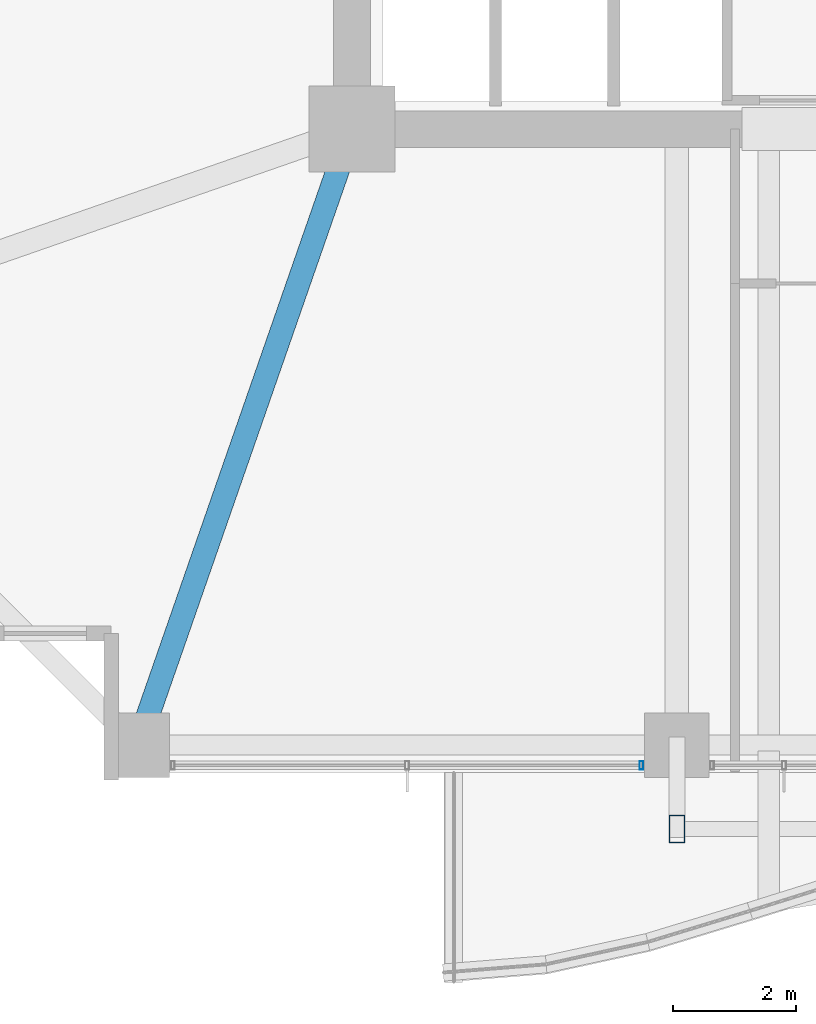
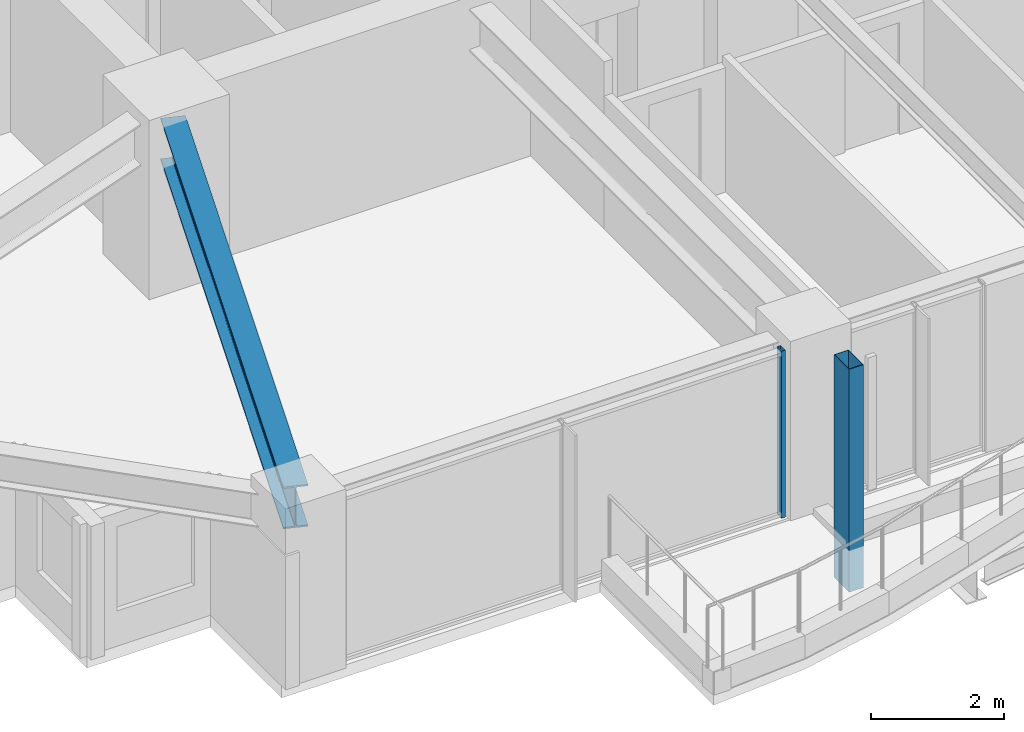
# One storey, part 4 of 38: 2 members, 1 beam, 1 element without a shape of its own.
"""IFC4 building model written with IfcOpenShell, lengths in metres."""

from ifc_helpers import new_model, si_unit, direction, frame, origin, origin_2d, place, context, subcontext, project, spatial, hollow_rectangle, i_section, extrude, material, material_profile, profile_set, type_object, element, aggregate, save


model = new_model("IFC4")

# Units and contexts
model_context = context("Model", 3, precision=1e-05, world=origin(), true_north=direction((0.0, 1.0)))
body_context = subcontext(model_context, "Body", "Model", "MODEL_VIEW")
ifc_project = project(units=[si_unit("LENGTHUNIT", "METRE"), si_unit("AREAUNIT", "SQUARE_METRE"), si_unit("VOLUMEUNIT", "CUBIC_METRE"), si_unit("PLANEANGLEUNIT", "RADIAN"), si_unit("MASSUNIT", "GRAM", prefix="KILO")], contexts=[model_context])

# Site, building, storey
site_placement = place(None, origin())
site = spatial("IfcSite", under=ifc_project, at=site_placement, CompositionType="ELEMENT")
building_placement = place(site_placement, origin())
building = spatial("IfcBuilding", under=site, at=building_placement, Name="Kolvaren Belvedere", CompositionType="ELEMENT")
storey_placement = place(building_placement, frame((0.0, 0.0, 72.199951171875)))
storey = spatial("IfcBuildingStorey", under=building, at=storey_placement, Name="L20", CompositionType="ELEMENT", Elevation=72.199951171875)

# Beam
ifc_material_1 = material(Name="Structural steel ASTM A992 Grade 50", Category="steel")
ifc_material_profile_1 = material_profile(ifc_material_1, i_section(OverallWidth=0.381103515625, OverallDepth=0.77294921875, WebThickness=0.0166015625, FlangeThickness=0.027099609375, FilletRadius=0.02392578125, at=origin_2d()), Name="W30X173")
ifc_profile_set_1 = profile_set([ifc_material_profile_1], Name="Structural steel ASTM A992 Grade 50")
beam_type = type_object("IfcBeamType", Name="BM-GIRD-W30X173", PredefinedType="BEAM", material=ifc_profile_set_1)
beam_placement = place(storey_placement, frame((-10.080810546875, -10.41943359375, 2.693603515625), z_axis=(-0.328880894453, -0.944371408538, 0.0), x_axis=(0.944371408538, -0.328880894453, 0.0)))
element("IfcBeam", 1, at=beam_placement, inside=storey, type_object=beam_type, Name="L20 Corner Core-to-Perimeter Girder CC1-S1", PredefinedType="BEAM", context=body_context, shape_type="SweptSolid", body=[
    extrude(i_section(OverallWidth=0.381103515625, OverallDepth=0.77294921875, WebThickness=0.0166015625, FlangeThickness=0.027099609375, FilletRadius=0.02392578125, at=origin_2d()), origin(), (0.0, 0.0, 1.0), 9.882080078125),
])

# Curtain wall, member
ifc_material_2 = material(Name="Anodised pale-metal aluminium AA 6063-T6", Category="aluminium")
curtain_wall_type = type_object("IfcCurtainWallType", Name="CW-Z2-MID", PredefinedType="NOTDEFINED", material=ifc_material_2)
curtain_wall_placement = place(storey_placement, origin())
curtain_wall = element("IfcCurtainWall", 2, at=curtain_wall_placement, inside=storey, type_object=curtain_wall_type, Name="L20 Unitised Curtain Wall FCW-L20-S2-B2", PredefinedType="NOTDEFINED")
ifc_material_3 = material(Name="Anodised pale-metal aluminium AA 6063-T6", Category="aluminium")
ifc_material_profile_2 = material_profile(ifc_material_3, hollow_rectangle(XDim=0.06494140625, YDim=0.139892578125, WallThickness=0.00390625, at=origin_2d()), Name="ALU-MUL-140X65")
ifc_profile_set_2 = profile_set([ifc_material_profile_2], Name="Anodised pale-metal aluminium AA 6063-T6")
member_type_1 = type_object("IfcMemberType", Name="CW-MUL-140", PredefinedType="MULLION", material=ifc_profile_set_2)
member_1_placement = place(storey_placement, frame((-5.177490234375, -20.280029296875, 0.0), z_axis=(0.0, 0.0, 1.0), x_axis=(1.0, 0.0, 0.0)))
member_1 = element("IfcMember", 3, at=member_1_placement, type_object=member_type_1, Name="FCW-L20-S2-B2 Unitised Mullion 1", PredefinedType="MULLION", context=body_context, shape_type="SweptSolid", body=[
    extrude(hollow_rectangle(XDim=0.06494140625, YDim=0.139892578125, WallThickness=0.00390625, at=origin_2d()), origin(), (0.0, 0.0, 1.0), 3.080078125),
])
aggregate(curtain_wall, [member_1])

# Member
ifc_material_4 = material(Name="Anodised pale-metal aluminium AA 6063-T6", Category="aluminium")
ifc_material_profile_3 = material_profile(ifc_material_4, hollow_rectangle(XDim=0.25, YDim=0.449951171875, WallThickness=0.008544921875, at=origin_2d()), Name="ALU-PF-450X250")
ifc_profile_set_3 = profile_set([ifc_material_profile_3], Name="Anodised pale-metal aluminium AA 6063-T6")
member_type_2 = type_object("IfcMemberType", Name="PF-FRAME-450", PredefinedType="USERDEFINED", material=ifc_profile_set_3)
member_2_placement = place(storey_placement, frame((-4.60009765625, -21.320068359375, -0.81005859375), z_axis=(0.0, 0.0, 1.0), x_axis=(1.0, 0.0, 0.0)))
element("IfcMember", 4, at=member_2_placement, inside=storey, type_object=member_type_2, Name="L20 Outboard Picture-Frame Vertical S2", ObjectType="PICTURE FRAME FIN", PredefinedType="USERDEFINED", context=body_context, shape_type="SweptSolid", body=[
    extrude(hollow_rectangle(XDim=0.25, YDim=0.449951171875, WallThickness=0.008544921875, at=origin_2d()), origin(), (0.0, 0.0, 1.0), 4.110107421875),
])

save(model, "model.ifc")
